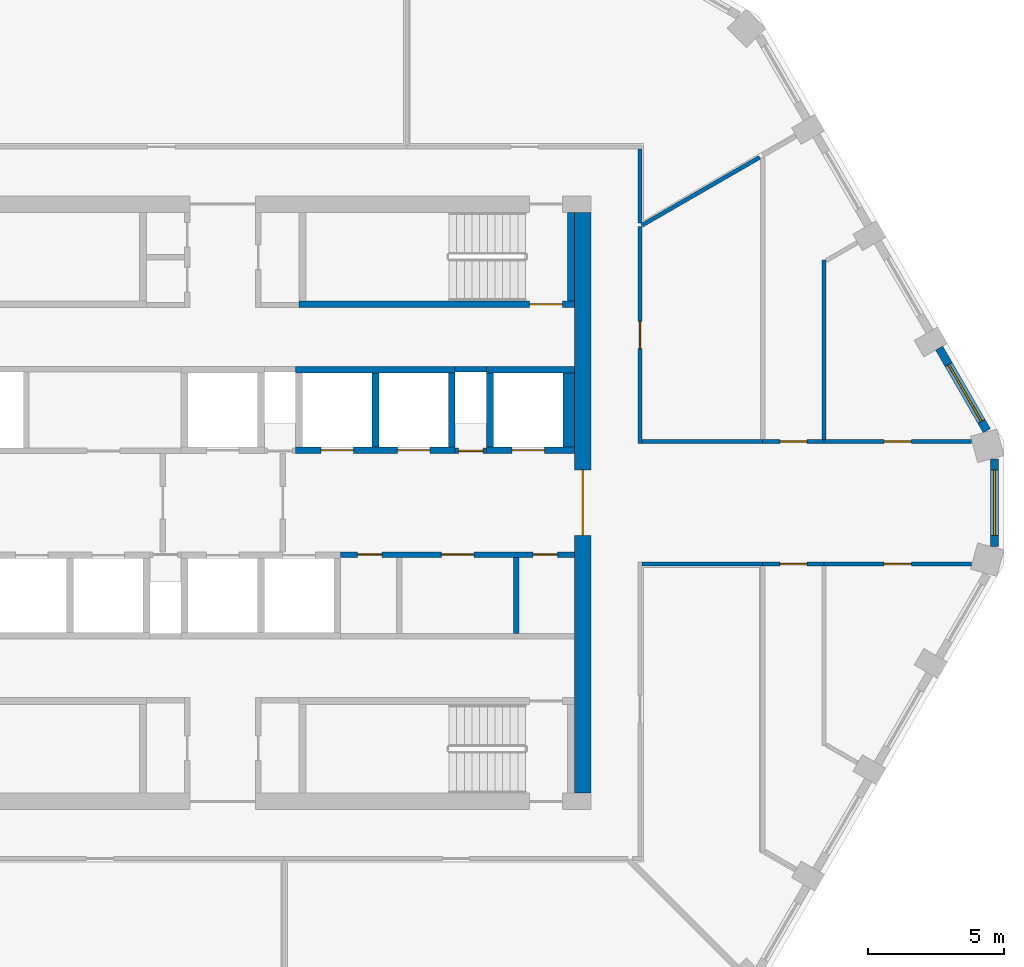
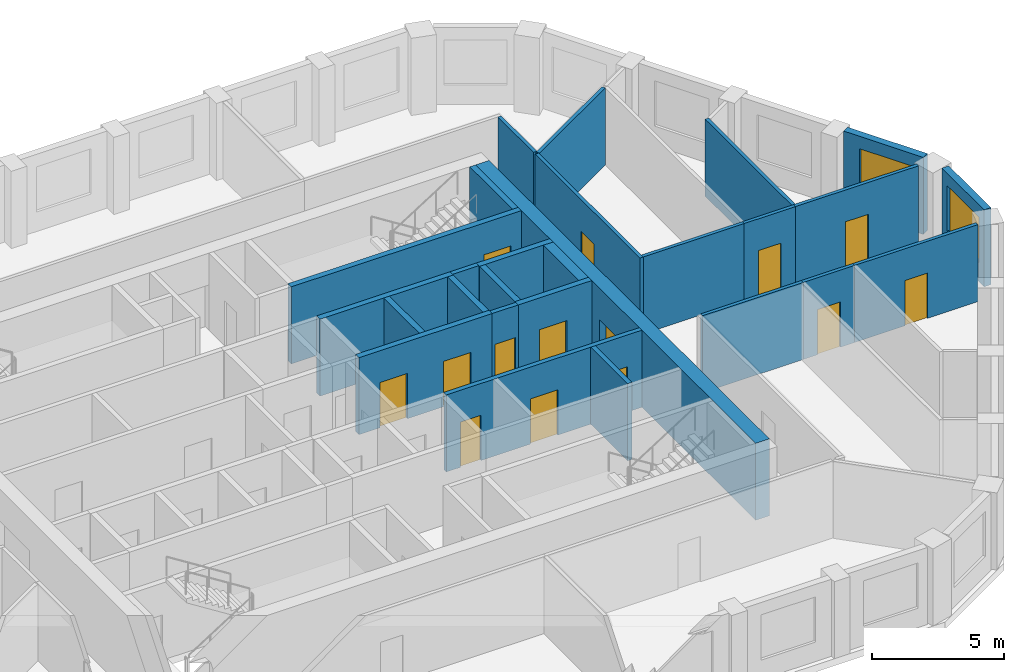
# One storey, part 5 of 11: 27 walls, 14 doors, 2 windows, 16 openings.
"""IFC4 building model written with IfcOpenShell, lengths in metres."""

from ifc_helpers import new_model, si_unit, direction, frame, frame_2d, origin, place, context, subcontext, project, spatial, polyline, rectangle, outline, extrude, material, layer, layer_set, type_object, element, fill, save


model = new_model("IFC4")

# Units and contexts
model_context = context("Model", 3, precision=1e-05, world=origin(), true_north=direction((0.0, 1.0)))
body_context = subcontext(model_context, "Body", "Model", "MODEL_VIEW")
ifc_project = project(units=[si_unit("LENGTHUNIT", "METRE"), si_unit("AREAUNIT", "SQUARE_METRE"), si_unit("VOLUMEUNIT", "CUBIC_METRE"), si_unit("PLANEANGLEUNIT", "RADIAN"), si_unit("MASSUNIT", "GRAM", prefix="KILO")], contexts=[model_context])

# Site, building, storey
site_placement = place(None, origin())
site = spatial("IfcSite", under=ifc_project, at=site_placement, CompositionType="ELEMENT")
building_placement = place(site_placement, origin())
building = spatial("IfcBuilding", under=site, at=building_placement, Name="Dhurran Vertical Campus", CompositionType="ELEMENT")
storey_placement = place(building_placement, frame((0.0, 0.0, 274.199951171875)))
storey = spatial("IfcBuildingStorey", under=building, at=storey_placement, Name="L68", CompositionType="ELEMENT", Elevation=274.199951171875)

# Wall, opening, window
ifc_material_1 = material(Name="Precast concrete C50/60", Category="concrete")
ifc_layer_1 = layer(ifc_material_1, 0.300048828125)
ifc_layer_set_1 = layer_set([ifc_layer_1], Name="Precast concrete C50/60")
wall_type_1 = type_object("IfcWallType", Name="Precast spandrel wall 300", PredefinedType="SOLIDWALL", material=ifc_layer_set_1)
wall_1_placement = place(storey_placement, frame((28.297119140625, -1.59814453125, 0.0), z_axis=(0.0, 0.0, 1.0), x_axis=(0.0, 1.0, 0.0)))
wall_1 = element("IfcWall", 1, at=wall_1_placement, inside=storey, type_object=wall_type_1, Name="EW1 L68.12", PredefinedType="SOLIDWALL", context=body_context, shape_type="SweptSolid", body=[
    extrude(rectangle(XDim=3.1962890625, YDim=0.300048828125, at=frame_2d((1.59814453125, 0.0))), origin(), (0.0, 0.0, 1.0), 3.574951171875),
])
opening_1_placement = place(wall_1_placement, frame((0.398193359375, 0.0, 0.89990234375)))
opening_1 = element("IfcOpeningElement", 2, at=opening_1_placement, cuts=wall_1, Name="Opening WT1", PredefinedType="OPENING", context=body_context, shape_type="SweptSolid", body=[
    extrude(rectangle(XDim=2.39990234375, YDim=2.10009765625, at=frame_2d((1.199951171875, 1.050048828125))), frame((0.0, 0.159912109375, 0.0), z_axis=(0.0, -1.0, 0.0), x_axis=(1.0, 0.0, 0.0)), (0.0, 0.0, 1.0), 0.320068359375),
])
ifc_material_2 = material(Name="Aluminium frame with solar-control glass", Category="aluminium")
window_type = type_object("IfcWindowType", Name="Punched window 2400 x 2100", PartitioningType="SINGLE_PANEL", PredefinedType="WINDOW", material=ifc_material_2)
window_1_placement = place(opening_1_placement, origin())
window_1 = element("IfcWindow", 3, at=window_1_placement, inside=storey, type_object=window_type, Name="WT1 L68.12", OverallHeight=2.10009765625, OverallWidth=2.39990234375, PartitioningType="SINGLE_PANEL", PredefinedType="WINDOW", context=body_context, shape_type="SweptSolid", body=[
    extrude(rectangle(XDim=2.39990234375, YDim=2.10009765625, at=frame_2d((1.199951171875, 1.050048828125))), frame((0.0, 0.030029296875, 0.0), z_axis=(0.0, -1.0, 0.0), x_axis=(1.0, 0.0, 0.0)), (0.0, 0.0, 1.0), 0.06005859375),
])
fill(opening_1, window_1)

wall_2_placement = place(storey_placement, frame((28.01806640625, 2.6396484375, 0.0), z_axis=(0.0, 0.0, 1.0), x_axis=(-0.499990325971, 0.866030989016, 0.0)))
wall_2 = element("IfcWall", 4, at=wall_2_placement, inside=storey, type_object=wall_type_1, Name="EW1 L68.13", PredefinedType="SOLIDWALL", context=body_context, shape_type="SweptSolid", body=[
    extrude(rectangle(XDim=3.49755859375, YDim=0.300048828125, at=frame_2d((1.748779296875, 0.0))), origin(), (0.0, 0.0, 1.0), 3.574951171875),
])
opening_2_placement = place(wall_2_placement, frame((0.398193359375, 0.0, 0.89990234375)))
opening_2 = element("IfcOpeningElement", 5, at=opening_2_placement, cuts=wall_2, Name="Opening WT1", PredefinedType="OPENING", context=body_context, shape_type="SweptSolid", body=[
    extrude(rectangle(XDim=2.39990234375, YDim=2.10009765625, at=frame_2d((1.199951171875, 1.050048828125))), frame((0.0, 0.159912109375, 0.0), z_axis=(0.0, -1.0, 0.0), x_axis=(1.0, 0.0, 0.0)), (0.0, 0.0, 1.0), 0.320068359375),
])
window_2_placement = place(opening_2_placement, origin())
window_2 = element("IfcWindow", 6, at=window_2_placement, inside=storey, type_object=window_type, Name="WT1 L68.13", OverallHeight=2.10009765625, OverallWidth=2.39990234375, PartitioningType="SINGLE_PANEL", PredefinedType="WINDOW", context=body_context, shape_type="SweptSolid", body=[
    extrude(rectangle(XDim=2.39990234375, YDim=2.10009765625, at=frame_2d((1.199951171875, 1.050048828125))), frame((0.0, 0.030029296875, 0.0), z_axis=(0.0, -1.0, 0.0), x_axis=(1.0, 0.0, 0.0)), (0.0, 0.0, 1.0), 0.06005859375),
])
fill(opening_2, window_2)

# Wall, opening, door
ifc_material_3 = material(Name="Concrete C50/60", Category="concrete")
ifc_layer_2 = layer(ifc_material_3, 0.60009765625)
ifc_layer_set_2 = layer_set([ifc_layer_2], Name="Concrete C50/60")
wall_type_2 = type_object("IfcWallType", Name="co-CORE-WALL-C2-600", PredefinedType="SHEAR", material=ifc_layer_set_2)
wall_3_placement = place(storey_placement, frame((13.199951171875, -10.64990234375, 0.0), z_axis=(0.0, 0.0, 1.0), x_axis=(0.0, 1.0, 0.0)))
wall_3 = element("IfcWall", 7, at=wall_3_placement, inside=storey, type_object=wall_type_2, Name="Core wall E L68", PredefinedType="SHEAR", context=body_context, shape_type="SweptSolid", body=[
    extrude(rectangle(XDim=21.2998046875, YDim=0.60009765625, at=frame_2d((10.64990234375, 0.0))), origin(), (0.0, 0.0, 1.0), 3.574951171875),
])
opening_3_placement = place(wall_3_placement, frame((9.449951171875, 0.0, 0.0)))
opening_3 = element("IfcOpeningElement", 8, at=opening_3_placement, cuts=wall_3, Name="Opening CL2", PredefinedType="OPENING", context=body_context, shape_type="SweptSolid", body=[
    extrude(rectangle(XDim=2.39990234375, YDim=2.10009765625, at=frame_2d((1.199951171875, 1.050048828125))), frame((0.0, 0.31005859375, 0.0), z_axis=(0.0, -1.0, 0.0), x_axis=(1.0, 0.0, 0.0)), (0.0, 0.0, 1.0), 0.6201171875),
])
ifc_material_4 = material(Name="Fire-rated glazed door set")
door_type_1 = type_object("IfcDoorType", Name="co-D-LOBBY 2400x2100", OperationType="DOUBLE_DOOR_DOUBLE_SWING", PredefinedType="DOOR", material=ifc_material_4)
door_1_placement = place(opening_3_placement, origin())
door_1 = element("IfcDoor", 9, at=door_1_placement, inside=storey, type_object=door_type_1, Name="Lift lobby door E L68", OperationType="DOUBLE_DOOR_DOUBLE_SWING", OverallHeight=2.10009765625, OverallWidth=2.39990234375, PredefinedType="DOOR", context=body_context, shape_type="SweptSolid", body=[
    extrude(rectangle(XDim=2.39990234375, YDim=2.10009765625, at=frame_2d((1.199951171875, 1.050048828125))), frame((0.0, 0.02490234375, 0.0), z_axis=(0.0, -1.0, 0.0), x_axis=(1.0, 0.0, 0.0)), (0.0, 0.0, 1.0), 0.050048828125),
])
fill(opening_3, door_1)

ifc_material_5 = material(Name="Fire-rated masonry blockwork", Category="masonry")
ifc_layer_3 = layer(ifc_material_5, 0.199951171875)
ifc_layer_set_3 = layer_set([ifc_layer_3], Name="Fire-rated masonry blockwork")
wall_type_3 = type_object("IfcWallType", Name="co-FIRE-PARTITION-200", PredefinedType="PARTITIONING", material=ifc_layer_set_3)
wall_4_placement = place(storey_placement, frame((8.52490234375, 1.89990234375, 0.0), z_axis=(0.0, 0.0, 1.0), x_axis=(1.0, 0.0, 0.0)))
wall_4 = element("IfcWall", 10, at=wall_4_placement, inside=storey, type_object=wall_type_3, Name="Core partition fr-N2-f L68", PredefinedType="PARTITIONING", context=body_context, shape_type="SweptSolid", body=[
    extrude(rectangle(XDim=1.150146484375, YDim=0.199951171875, at=frame_2d((0.5751953125, 0.0))), origin(), (0.0, 0.0, 1.0), 3.574951171875),
])
opening_4_placement = place(wall_4_placement, frame((0.125, 0.0, 0.0)))
opening_4 = element("IfcOpeningElement", 11, at=opening_4_placement, cuts=wall_4, Name="Opening T20-C9", PredefinedType="OPENING", context=body_context, shape_type="SweptSolid", body=[
    extrude(rectangle(XDim=0.89990234375, YDim=2.10009765625, at=frame_2d((0.449951171875, 1.050048828125))), frame((0.0, 0.10986328125, 0.0), z_axis=(0.0, -1.0, 0.0), x_axis=(1.0, 0.0, 0.0)), (0.0, 0.0, 1.0), 0.219970703125),
])
ifc_material_6 = material(Name="Fire-rated timber door set", Category="wood")
door_type_2 = type_object("IfcDoorType", Name="co-D-ROOM 900x2100", OperationType="SINGLE_SWING_LEFT", PredefinedType="DOOR", material=ifc_material_6)
door_2_placement = place(opening_4_placement, origin())
door_2 = element("IfcDoor", 12, at=door_2_placement, inside=storey, type_object=door_type_2, Name="Communications riser door L68", OperationType="SINGLE_SWING_LEFT", OverallHeight=2.10009765625, OverallWidth=0.89990234375, PredefinedType="DOOR", context=body_context, shape_type="SweptSolid", body=[
    extrude(rectangle(XDim=0.89990234375, YDim=2.10009765625, at=frame_2d((0.449951171875, 1.050048828125))), frame((0.0, 0.02490234375, 0.0), z_axis=(0.0, -1.0, 0.0), x_axis=(1.0, 0.0, 0.0)), (0.0, 0.0, 1.0), 0.050048828125),
])
fill(opening_4, door_2)

# Walls
wall_5_placement = place(storey_placement, frame((8.52490234375, 4.89990234375, 0.0), z_axis=(0.0, 0.0, 1.0), x_axis=(1.0, 0.0, 0.0)))
element("IfcWall", 13, at=wall_5_placement, inside=storey, type_object=wall_type_3, Name="Core partition fr-N2-b L68", PredefinedType="PARTITIONING", context=body_context, shape_type="SweptSolid", body=[
    extrude(rectangle(XDim=1.150146484375, YDim=0.199951171875, at=frame_2d((0.5751953125, 0.0))), origin(), (0.0, 0.0, 1.0), 3.574951171875),
])
wall_6_placement = place(storey_placement, frame((10.756103515625, -4.800048828125, 0.0), z_axis=(0.0, 0.0, 1.0), x_axis=(0.0, 1.0, 0.0)))
element("IfcWall", 14, at=wall_6_placement, inside=storey, type_object=wall_type_3, Name="Core partition fr-S2-cut1 L68", PredefinedType="PARTITIONING", context=body_context, shape_type="SweptSolid", body=[
    extrude(rectangle(XDim=2.800048828125, YDim=0.199951171875, at=frame_2d((1.39990234375, 0.0))), origin(), (0.0, 0.0, 1.0), 3.574951171875),
])

# Wall, openings, doors
wall_7_placement = place(storey_placement, frame((4.324951171875, -1.89990234375, 0.0), z_axis=(0.0, 0.0, 1.0), x_axis=(1.0, 0.0, 0.0)))
wall_7 = element("IfcWall", 15, at=wall_7_placement, inside=storey, type_object=wall_type_3, Name="Core partition fr-S2-f L68", PredefinedType="PARTITIONING", context=body_context, shape_type="SweptSolid", body=[
    extrude(rectangle(XDim=8.574951171875, YDim=0.199951171875, at=frame_2d((4.28759765625, 0.0))), origin(), (0.0, 0.0, 1.0), 3.574951171875),
])
opening_5_placement = place(wall_7_placement, frame((0.621826171875, 0.0, 0.0)))
opening_5 = element("IfcOpeningElement", 16, at=opening_5_placement, cuts=wall_7, Name="Opening T20-C12", PredefinedType="OPENING", context=body_context, shape_type="SweptSolid", body=[
    extrude(rectangle(XDim=0.89990234375, YDim=2.10009765625, at=frame_2d((0.449951171875, 1.050048828125))), frame((0.0, 0.10986328125, 0.0), z_axis=(0.0, -1.0, 0.0), x_axis=(1.0, 0.0, 0.0)), (0.0, 0.0, 1.0), 0.219970703125),
])
opening_6_placement = place(wall_7_placement, frame((3.6875, 0.0, 0.0)))
opening_6 = element("IfcOpeningElement", 17, at=opening_6_placement, cuts=wall_7, Name="Opening T20-C13", PredefinedType="OPENING", context=body_context, shape_type="SweptSolid", body=[
    extrude(rectangle(XDim=1.199951171875, YDim=2.10009765625, at=frame_2d((0.60009765625, 1.050048828125))), frame((0.0, 0.10986328125, 0.0), z_axis=(0.0, -1.0, 0.0), x_axis=(1.0, 0.0, 0.0)), (0.0, 0.0, 1.0), 0.219970703125),
])
opening_7_placement = place(wall_7_placement, frame((7.052978515625, 0.0, 0.0)))
opening_7 = element("IfcOpeningElement", 18, at=opening_7_placement, cuts=wall_7, Name="Opening T20-C14", PredefinedType="OPENING", context=body_context, shape_type="SweptSolid", body=[
    extrude(rectangle(XDim=0.89990234375, YDim=2.10009765625, at=frame_2d((0.449951171875, 1.050048828125))), frame((0.0, 0.10986328125, 0.0), z_axis=(0.0, -1.0, 0.0), x_axis=(1.0, 0.0, 0.0)), (0.0, 0.0, 1.0), 0.219970703125),
])
door_3_placement = place(opening_5_placement, origin())
door_3 = element("IfcDoor", 19, at=door_3_placement, inside=storey, type_object=door_type_2, Name="Store door L68", OperationType="SINGLE_SWING_LEFT", OverallHeight=2.10009765625, OverallWidth=0.89990234375, PredefinedType="DOOR", context=body_context, shape_type="SweptSolid", body=[
    extrude(rectangle(XDim=0.89990234375, YDim=2.10009765625, at=frame_2d((0.449951171875, 1.050048828125))), frame((0.0, 0.02490234375, 0.0), z_axis=(0.0, -1.0, 0.0), x_axis=(1.0, 0.0, 0.0)), (0.0, 0.0, 1.0), 0.050048828125),
])
fill(opening_5, door_3)
door_4_placement = place(opening_7_placement, origin())
door_4 = element("IfcDoor", 20, at=door_4_placement, inside=storey, type_object=door_type_2, Name="Plant room door L68", OperationType="SINGLE_SWING_LEFT", OverallHeight=2.10009765625, OverallWidth=0.89990234375, PredefinedType="DOOR", context=body_context, shape_type="SweptSolid", body=[
    extrude(rectangle(XDim=0.89990234375, YDim=2.10009765625, at=frame_2d((0.449951171875, 1.050048828125))), frame((0.0, 0.02490234375, 0.0), z_axis=(0.0, -1.0, 0.0), x_axis=(1.0, 0.0, 0.0)), (0.0, 0.0, 1.0), 0.050048828125),
])
fill(opening_7, door_4)
ifc_material_7 = material(Name="Fire-rated steel door set", Category="steel")
door_type_3 = type_object("IfcDoorType", Name="co-D-ROOM-PASSAGE 1200x2100", OperationType="SINGLE_SWING_RIGHT", PredefinedType="DOOR", material=ifc_material_7)
door_5_placement = place(opening_6_placement, origin())
door_5 = element("IfcDoor", 21, at=door_5_placement, inside=storey, type_object=door_type_3, Name="Communications room door L68", OperationType="SINGLE_SWING_RIGHT", OverallHeight=2.10009765625, OverallWidth=1.199951171875, PredefinedType="DOOR", context=body_context, shape_type="SweptSolid", body=[
    extrude(rectangle(XDim=1.199951171875, YDim=2.10009765625, at=frame_2d((0.60009765625, 1.050048828125))), frame((0.0, 0.02490234375, 0.0), z_axis=(0.0, -1.0, 0.0), x_axis=(1.0, 0.0, 0.0)), (0.0, 0.0, 1.0), 0.050048828125),
])
fill(opening_6, door_5)

ifc_material_8 = material(Name="Concrete C50/60", Category="concrete")
ifc_layer_4 = layer(ifc_material_8, 0.25)
ifc_layer_set_4 = layer_set([ifc_layer_4], Name="Concrete C50/60")
wall_type_4 = type_object("IfcWallType", Name="co-SHAFT-FRONT-250", PredefinedType="SHEAR", material=ifc_layer_set_4)
wall_8_placement = place(storey_placement, frame((2.675048828125, 1.925048828125, 0.0), z_axis=(0.0, 0.0, 1.0), x_axis=(1.0, 0.0, 0.0)))
wall_8 = element("IfcWall", 22, at=wall_8_placement, inside=storey, type_object=wall_type_4, Name="Lift landing wall N L68", PredefinedType="SHEAR", context=body_context, shape_type="SweptSolid", body=[
    extrude(rectangle(XDim=5.849853515625, YDim=0.25, at=frame_2d((2.9248046875, 0.0))), origin(), (0.0, 0.0, 1.0), 3.574951171875),
])
opening_8_placement = place(wall_8_placement, frame((0.925048828125, 0.0, 0.0)))
opening_8 = element("IfcOpeningElement", 23, at=opening_8_placement, cuts=wall_8, Name="Opening LD", PredefinedType="OPENING", context=body_context, shape_type="SweptSolid", body=[
    extrude(rectangle(XDim=1.199951171875, YDim=2.10009765625, at=frame_2d((0.60009765625, 1.050048828125))), frame((0.0, 0.135009765625, 0.0), z_axis=(0.0, -1.0, 0.0), x_axis=(1.0, 0.0, 0.0)), (0.0, 0.0, 1.0), 0.27001953125),
])
opening_9_placement = place(wall_8_placement, frame((3.72509765625, 0.0, 0.0)))
opening_9 = element("IfcOpeningElement", 24, at=opening_9_placement, cuts=wall_8, Name="Opening LD", PredefinedType="OPENING", context=body_context, shape_type="SweptSolid", body=[
    extrude(rectangle(XDim=1.199951171875, YDim=2.10009765625, at=frame_2d((0.60009765625, 1.050048828125))), frame((0.0, 0.135009765625, 0.0), z_axis=(0.0, -1.0, 0.0), x_axis=(1.0, 0.0, 0.0)), (0.0, 0.0, 1.0), 0.27001953125),
])
ifc_material_9 = material(Name="Stainless steel landing door", Category="steel")
door_type_4 = type_object("IfcDoorType", Name="co-D-LANDING 1200x2100", OperationType="DOUBLE_DOOR_SLIDING", PredefinedType="DOOR", material=ifc_material_9)
door_6_placement = place(opening_8_placement, origin())
door_6 = element("IfcDoor", 25, at=door_6_placement, inside=storey, type_object=door_type_4, Name="Landing door HR1 L68", OperationType="DOUBLE_DOOR_SLIDING", OverallHeight=2.10009765625, OverallWidth=1.199951171875, PredefinedType="DOOR", context=body_context, shape_type="SweptSolid", body=[
    extrude(rectangle(XDim=1.199951171875, YDim=2.10009765625, at=frame_2d((0.60009765625, 1.050048828125))), frame((0.0, 0.02490234375, 0.0), z_axis=(0.0, -1.0, 0.0), x_axis=(1.0, 0.0, 0.0)), (0.0, 0.0, 1.0), 0.050048828125),
])
fill(opening_8, door_6)
door_7_placement = place(opening_9_placement, origin())
door_7 = element("IfcDoor", 26, at=door_7_placement, inside=storey, type_object=door_type_4, Name="Landing door HR2 L68", OperationType="DOUBLE_DOOR_SLIDING", OverallHeight=2.10009765625, OverallWidth=1.199951171875, PredefinedType="DOOR", context=body_context, shape_type="SweptSolid", body=[
    extrude(rectangle(XDim=1.199951171875, YDim=2.10009765625, at=frame_2d((0.60009765625, 1.050048828125))), frame((0.0, 0.02490234375, 0.0), z_axis=(0.0, -1.0, 0.0), x_axis=(1.0, 0.0, 0.0)), (0.0, 0.0, 1.0), 0.050048828125),
])
fill(opening_9, door_7)

# Wall, opening, door
wall_9_placement = place(storey_placement, frame((9.675048828125, 1.925048828125, 0.0), z_axis=(0.0, 0.0, 1.0), x_axis=(1.0, 0.0, 0.0)))
wall_9 = element("IfcWall", 27, at=wall_9_placement, inside=storey, type_object=wall_type_4, Name="Lift landing wall N L68", PredefinedType="SHEAR", context=body_context, shape_type="SweptSolid", body=[
    extrude(rectangle(XDim=3.224853515625, YDim=0.25, at=frame_2d((1.6123046875, 0.0))), origin(), (0.0, 0.0, 1.0), 3.574951171875),
])
opening_10_placement = place(wall_9_placement, frame((0.925048828125, 0.0, 0.0)))
opening_10 = element("IfcOpeningElement", 28, at=opening_10_placement, cuts=wall_9, Name="Opening LD", PredefinedType="OPENING", context=body_context, shape_type="SweptSolid", body=[
    extrude(rectangle(XDim=1.199951171875, YDim=2.10009765625, at=frame_2d((0.60009765625, 1.050048828125))), frame((0.0, 0.135009765625, 0.0), z_axis=(0.0, -1.0, 0.0), x_axis=(1.0, 0.0, 0.0)), (0.0, 0.0, 1.0), 0.27001953125),
])
door_8_placement = place(opening_10_placement, origin())
door_8 = element("IfcDoor", 29, at=door_8_placement, inside=storey, type_object=door_type_4, Name="Landing door SV2 L68", OperationType="DOUBLE_DOOR_SLIDING", OverallHeight=2.10009765625, OverallWidth=1.199951171875, PredefinedType="DOOR", context=body_context, shape_type="SweptSolid", body=[
    extrude(rectangle(XDim=1.199951171875, YDim=2.10009765625, at=frame_2d((0.60009765625, 1.050048828125))), frame((0.0, 0.02490234375, 0.0), z_axis=(0.0, -1.0, 0.0), x_axis=(1.0, 0.0, 0.0)), (0.0, 0.0, 1.0), 0.050048828125),
])
fill(opening_10, door_8)

# Walls
ifc_material_10 = material(Name="Concrete C50/60", Category="concrete")
ifc_layer_5 = layer(ifc_material_10, 0.25)
ifc_layer_set_5 = layer_set([ifc_layer_5], Name="Concrete C50/60")
wall_type_5 = type_object("IfcWallType", Name="co-SHAFT-MASS-250", PredefinedType="SHEAR", material=ifc_layer_set_5)
wall_10_placement = place(storey_placement, origin())
element("IfcWall", 30, at=wall_10_placement, inside=storey, type_object=wall_type_5, Name="Lift shaft wall N L68 2", PredefinedType="SHEAR", context=body_context, shape_type="SweptSolid", body=[
    extrude(outline(polyline([(2.675048828125, 4.75), (8.52490234375, 4.75), (8.52490234375, 5.0), (2.675048828125, 5.0), (2.675048828125, 4.75)])), origin(), (0.0, 0.0, 1.0), 3.574951171875),
])
wall_11_placement = place(storey_placement, origin())
element("IfcWall", 31, at=wall_11_placement, inside=storey, type_object=wall_type_5, Name="Lift shaft wall N L68 3", PredefinedType="SHEAR", context=body_context, shape_type="SweptSolid", body=[
    extrude(outline(polyline([(9.675048828125, 4.75), (12.89990234375, 4.75), (12.89990234375, 5.0), (9.675048828125, 5.0), (9.675048828125, 4.75)])), origin(), (0.0, 0.0, 1.0), 3.574951171875),
])
wall_12_placement = place(storey_placement, origin())
element("IfcWall", 32, at=wall_12_placement, inside=storey, type_object=wall_type_5, Name="Lift shaft wall N L68 7", PredefinedType="SHEAR", context=body_context, shape_type="SweptSolid", body=[
    extrude(outline(polyline([(5.47509765625, 2.050048828125), (5.72509765625, 2.050048828125), (5.72509765625, 4.75), (5.47509765625, 4.75), (5.47509765625, 2.050048828125)])), origin(), (0.0, 0.0, 1.0), 3.574951171875),
])
wall_13_placement = place(storey_placement, origin())
element("IfcWall", 33, at=wall_13_placement, inside=storey, type_object=wall_type_5, Name="Lift shaft wall N L68 8", PredefinedType="SHEAR", context=body_context, shape_type="SweptSolid", body=[
    extrude(outline(polyline([(8.27490234375, 2.050048828125), (8.52490234375, 2.050048828125), (8.52490234375, 4.75), (8.27490234375, 4.75), (8.27490234375, 2.050048828125)])), origin(), (0.0, 0.0, 1.0), 3.574951171875),
])
wall_14_placement = place(storey_placement, origin())
element("IfcWall", 34, at=wall_14_placement, inside=storey, type_object=wall_type_5, Name="Lift shaft wall N L68 9", PredefinedType="SHEAR", context=body_context, shape_type="SweptSolid", body=[
    extrude(outline(polyline([(9.675048828125, 2.050048828125), (9.925048828125, 2.050048828125), (9.925048828125, 4.75), (9.675048828125, 4.75), (9.675048828125, 2.050048828125)])), origin(), (0.0, 0.0, 1.0), 3.574951171875),
])
wall_15_placement = place(storey_placement, origin())
element("IfcWall", 35, at=wall_15_placement, inside=storey, type_object=wall_type_5, Name="Lift shaft wall N L68 10", PredefinedType="SHEAR", context=body_context, shape_type="SweptSolid", body=[
    extrude(outline(polyline([(12.47509765625, 2.050048828125), (12.89990234375, 2.050048828125), (12.89990234375, 4.75), (12.47509765625, 4.75), (12.47509765625, 2.050048828125)])), origin(), (0.0, 0.0, 1.0), 3.574951171875),
])

# Wall, opening, door
ifc_material_11 = material(Name="Concrete C40/50", Category="concrete")
ifc_layer_6 = layer(ifc_material_11, 0.25)
ifc_layer_set_6 = layer_set([ifc_layer_6], Name="Concrete C40/50")
wall_type_6 = type_object("IfcWallType", Name="co-STAIR-WALL-250", PredefinedType="SHEAR", material=ifc_layer_set_6)
wall_16_placement = place(storey_placement, frame((2.800048828125, 7.27490234375, 0.0), z_axis=(0.0, 0.0, 1.0), x_axis=(1.0, 0.0, 0.0)))
wall_16 = element("IfcWall", 36, at=wall_16_placement, inside=storey, type_object=wall_type_6, Name="Stair ST2 enclosure wall L68", PredefinedType="SHEAR", context=body_context, shape_type="SweptSolid", body=[
    extrude(rectangle(XDim=10.099853515625, YDim=0.25, at=frame_2d((5.0498046875, 0.0))), origin(), (0.0, 0.0, 1.0), 3.574951171875),
])
opening_11_placement = place(wall_16_placement, frame((8.449951171875, 0.0, 0.0)))
opening_11 = element("IfcOpeningElement", 37, at=opening_11_placement, cuts=wall_16, Name="Opening SD2", PredefinedType="OPENING", context=body_context, shape_type="SweptSolid", body=[
    extrude(rectangle(XDim=1.199951171875, YDim=2.10009765625, at=frame_2d((0.60009765625, 1.050048828125))), frame((0.0, 0.135009765625, 0.0), z_axis=(0.0, -1.0, 0.0), x_axis=(1.0, 0.0, 0.0)), (0.0, 0.0, 1.0), 0.27001953125),
])
ifc_material_12 = material(Name="Fire-rated steel door set", Category="steel")
door_type_5 = type_object("IfcDoorType", Name="co-D-STAIR 1200x2100", OperationType="SINGLE_SWING_LEFT", PredefinedType="DOOR", material=ifc_material_12)
door_9_placement = place(opening_11_placement, origin())
door_9 = element("IfcDoor", 38, at=door_9_placement, inside=storey, type_object=door_type_5, Name="Stair ST2 door L68", OperationType="SINGLE_SWING_LEFT", OverallHeight=2.10009765625, OverallWidth=1.199951171875, PredefinedType="DOOR", context=body_context, shape_type="SweptSolid", body=[
    extrude(rectangle(XDim=1.199951171875, YDim=2.10009765625, at=frame_2d((0.60009765625, 1.050048828125))), frame((0.0, 0.02490234375, 0.0), z_axis=(0.0, -1.0, 0.0), x_axis=(1.0, 0.0, 0.0)), (0.0, 0.0, 1.0), 0.050048828125),
])
fill(opening_11, door_9)

# Walls
wall_17_placement = place(storey_placement, frame((12.77490234375, 7.39990234375, 0.0), z_axis=(0.0, 0.0, 1.0), x_axis=(0.0, 1.0, 0.0)))
element("IfcWall", 39, at=wall_17_placement, inside=storey, type_object=wall_type_6, Name="Stair ST2 enclosure wall L68", PredefinedType="SHEAR", context=body_context, shape_type="SweptSolid", body=[
    extrude(rectangle(XDim=3.25, YDim=0.25, at=frame_2d((1.625, 0.0))), origin(), (0.0, 0.0, 1.0), 3.574951171875),
])
ifc_material_13 = material(Name="Gypsum board corridor wall on steel studs", Category="steel")
ifc_layer_7 = layer(ifc_material_13, 0.14990234375)
ifc_layer_set_7 = layer_set([ifc_layer_7], Name="Gypsum board corridor wall on steel studs")
wall_type_7 = type_object("IfcWallType", Name="fl-CW-150 corridor wall", PredefinedType="PARTITIONING", material=ifc_layer_set_7)
wall_18_placement = place(storey_placement, frame((19.800048828125, -2.25, 0.0), z_axis=(0.0, 0.0, 1.0), x_axis=(-1.0, 0.0, 0.0)))
element("IfcWall", 40, at=wall_18_placement, inside=storey, type_object=wall_type_7, Name="Partition 68-28", PredefinedType="PARTITIONING", context=body_context, shape_type="SweptSolid", body=[
    extrude(rectangle(XDim=4.425048828125, YDim=0.14990234375, at=frame_2d((2.21240234375, 0.0))), origin(), (0.0, 0.0, 1.0), 3.574951171875),
])

# Wall, opening, door
wall_19_placement = place(storey_placement, frame((15.300048828125, 2.175048828125, 0.0), z_axis=(0.0, 0.0, 1.0), x_axis=(0.0, 1.0, 0.0)))
wall_19 = element("IfcWall", 41, at=wall_19_placement, inside=storey, type_object=wall_type_7, Name="Partition 68-29", PredefinedType="PARTITIONING", context=body_context, shape_type="SweptSolid", body=[
    extrude(rectangle(XDim=7.95703125, YDim=0.14990234375, at=frame_2d((3.978515625, 0.0))), origin(), (0.0, 0.0, 1.0), 3.574951171875),
])
opening_12_placement = place(wall_19_placement, frame((3.478515625, 0.0, 0.0)))
opening_12 = element("IfcOpeningElement", 42, at=opening_12_placement, cuts=wall_19, Name="Opening T20.11", PredefinedType="OPENING", context=body_context, shape_type="SweptSolid", body=[
    extrude(rectangle(XDim=1.0, YDim=2.10009765625, at=frame_2d((0.5, 1.050048828125))), frame((0.0, 0.0849609375, 0.0), z_axis=(0.0, -1.0, 0.0), x_axis=(1.0, 0.0, 0.0)), (0.0, 0.0, 1.0), 0.169921875),
])
ifc_material_14 = material(Name="Solid-core timber door set, fire-rated", Category="wood")
door_type_6 = type_object("IfcDoorType", Name="fl-D-1000x2100", OperationType="SINGLE_SWING_LEFT", PredefinedType="DOOR", material=ifc_material_14)
door_10_placement = place(opening_12_placement, origin())
door_10 = element("IfcDoor", 43, at=door_10_placement, inside=storey, type_object=door_type_6, Name="Door 68.11", OperationType="SINGLE_SWING_RIGHT", OverallHeight=2.10009765625, OverallWidth=1.0, PredefinedType="DOOR", context=body_context, shape_type="SweptSolid", body=[
    extrude(rectangle(XDim=1.0, YDim=2.10009765625, at=frame_2d((0.5, 1.050048828125))), frame((0.0, 0.02490234375, 0.0), z_axis=(0.0, -1.0, 0.0), x_axis=(1.0, 0.0, 0.0)), (0.0, 0.0, 1.0), 0.050048828125),
])
fill(opening_12, door_10)

# Walls
wall_20_placement = place(storey_placement, frame((15.375, 2.25, 0.0), z_axis=(0.0, 0.0, 1.0), x_axis=(1.0, 0.0, 0.0)))
element("IfcWall", 44, at=wall_20_placement, inside=storey, type_object=wall_type_7, Name="Partition 68-30", PredefinedType="PARTITIONING", context=body_context, shape_type="SweptSolid", body=[
    extrude(rectangle(XDim=4.425048828125, YDim=0.14990234375, at=frame_2d((2.21240234375, 0.0))), origin(), (0.0, 0.0, 1.0), 3.574951171875),
])
wall_21_placement = place(storey_placement, frame((15.300048828125, 10.261962890625, 0.0), z_axis=(0.0, 0.0, 1.0), x_axis=(0.0, 1.0, 0.0)))
element("IfcWall", 45, at=wall_21_placement, inside=storey, type_object=wall_type_7, Name="Partition 68-31", PredefinedType="PARTITIONING", context=body_context, shape_type="SweptSolid", body=[
    extrude(rectangle(XDim=2.713134765625, YDim=0.14990234375, at=frame_2d((1.3564453125, 0.0))), origin(), (0.0, 0.0, 1.0), 3.574951171875),
])

# Wall, opening, door
wall_22_placement = place(storey_placement, frame((22.050048828125, -2.25, 0.0), z_axis=(0.0, 0.0, 1.0), x_axis=(-1.0, 0.0, 0.0)))
wall_22 = element("IfcWall", 46, at=wall_22_placement, inside=storey, type_object=wall_type_7, Name="Partition 68-35", PredefinedType="PARTITIONING", context=body_context, shape_type="SweptSolid", body=[
    extrude(rectangle(XDim=2.25, YDim=0.14990234375, at=frame_2d((1.125, 0.0))), origin(), (0.0, 0.0, 1.0), 3.574951171875),
])
opening_13_placement = place(wall_22_placement, frame((0.625, 0.0, 0.0)))
opening_13 = element("IfcOpeningElement", 47, at=opening_13_placement, cuts=wall_22, Name="Opening T20.13", PredefinedType="OPENING", context=body_context, shape_type="SweptSolid", body=[
    extrude(rectangle(XDim=1.0, YDim=2.10009765625, at=frame_2d((0.5, 1.050048828125))), frame((0.0, 0.0849609375, 0.0), z_axis=(0.0, -1.0, 0.0), x_axis=(1.0, 0.0, 0.0)), (0.0, 0.0, 1.0), 0.169921875),
])
door_11_placement = place(opening_13_placement, origin())
door_11 = element("IfcDoor", 48, at=door_11_placement, inside=storey, type_object=door_type_6, Name="Door 68.13", OperationType="SINGLE_SWING_RIGHT", OverallHeight=2.10009765625, OverallWidth=1.0, PredefinedType="DOOR", context=body_context, shape_type="SweptSolid", body=[
    extrude(rectangle(XDim=1.0, YDim=2.10009765625, at=frame_2d((0.5, 1.050048828125))), frame((0.0, 0.02490234375, 0.0), z_axis=(0.0, -1.0, 0.0), x_axis=(1.0, 0.0, 0.0)), (0.0, 0.0, 1.0), 0.050048828125),
])
fill(opening_13, door_11)

wall_23_placement = place(storey_placement, frame((19.800048828125, 2.25, 0.0), z_axis=(0.0, 0.0, 1.0), x_axis=(1.0, 0.0, 0.0)))
wall_23 = element("IfcWall", 49, at=wall_23_placement, inside=storey, type_object=wall_type_7, Name="Partition 68-37", PredefinedType="PARTITIONING", context=body_context, shape_type="SweptSolid", body=[
    extrude(rectangle(XDim=2.25, YDim=0.14990234375, at=frame_2d((1.125, 0.0))), origin(), (0.0, 0.0, 1.0), 3.574951171875),
])
opening_14_placement = place(wall_23_placement, frame((0.625, 0.0, 0.0)))
opening_14 = element("IfcOpeningElement", 50, at=opening_14_placement, cuts=wall_23, Name="Opening T20.14", PredefinedType="OPENING", context=body_context, shape_type="SweptSolid", body=[
    extrude(rectangle(XDim=1.0, YDim=2.10009765625, at=frame_2d((0.5, 1.050048828125))), frame((0.0, 0.0849609375, 0.0), z_axis=(0.0, -1.0, 0.0), x_axis=(1.0, 0.0, 0.0)), (0.0, 0.0, 1.0), 0.169921875),
])
door_12_placement = place(opening_14_placement, origin())
door_12 = element("IfcDoor", 51, at=door_12_placement, inside=storey, type_object=door_type_6, Name="Door 68.14", OperationType="SINGLE_SWING_LEFT", OverallHeight=2.10009765625, OverallWidth=1.0, PredefinedType="DOOR", context=body_context, shape_type="SweptSolid", body=[
    extrude(rectangle(XDim=1.0, YDim=2.10009765625, at=frame_2d((0.5, 1.050048828125))), frame((0.0, 0.02490234375, 0.0), z_axis=(0.0, -1.0, 0.0), x_axis=(1.0, 0.0, 0.0)), (0.0, 0.0, 1.0), 0.050048828125),
])
fill(opening_14, door_12)

wall_24_placement = place(storey_placement, frame((27.452392578125, -2.25, 0.0), z_axis=(0.0, 0.0, 1.0), x_axis=(-1.0, 0.0, 0.0)))
wall_24 = element("IfcWall", 52, at=wall_24_placement, inside=storey, type_object=wall_type_7, Name="Partition 68-41", PredefinedType="PARTITIONING", context=body_context, shape_type="SweptSolid", body=[
    extrude(rectangle(XDim=5.40234375, YDim=0.14990234375, at=frame_2d((2.701171875, 0.0))), origin(), (0.0, 0.0, 1.0), 3.574951171875),
])
opening_15_placement = place(wall_24_placement, frame((2.201171875, 0.0, 0.0)))
opening_15 = element("IfcOpeningElement", 53, at=opening_15_placement, cuts=wall_24, Name="Opening T20.15", PredefinedType="OPENING", context=body_context, shape_type="SweptSolid", body=[
    extrude(rectangle(XDim=1.0, YDim=2.10009765625, at=frame_2d((0.5, 1.050048828125))), frame((0.0, 0.0849609375, 0.0), z_axis=(0.0, -1.0, 0.0), x_axis=(1.0, 0.0, 0.0)), (0.0, 0.0, 1.0), 0.169921875),
])
door_13_placement = place(opening_15_placement, origin())
door_13 = element("IfcDoor", 54, at=door_13_placement, inside=storey, type_object=door_type_6, Name="Door 68.15", OperationType="SINGLE_SWING_RIGHT", OverallHeight=2.10009765625, OverallWidth=1.0, PredefinedType="DOOR", context=body_context, shape_type="SweptSolid", body=[
    extrude(rectangle(XDim=1.0, YDim=2.10009765625, at=frame_2d((0.5, 1.050048828125))), frame((0.0, 0.02490234375, 0.0), z_axis=(0.0, -1.0, 0.0), x_axis=(1.0, 0.0, 0.0)), (0.0, 0.0, 1.0), 0.050048828125),
])
fill(opening_15, door_13)

wall_25_placement = place(storey_placement, frame((22.050048828125, 2.25, 0.0), z_axis=(0.0, 0.0, 1.0), x_axis=(1.0, 0.0, 0.0)))
wall_25 = element("IfcWall", 55, at=wall_25_placement, inside=storey, type_object=wall_type_7, Name="Partition 68-43", PredefinedType="PARTITIONING", context=body_context, shape_type="SweptSolid", body=[
    extrude(rectangle(XDim=5.40234375, YDim=0.14990234375, at=frame_2d((2.701171875, 0.0))), origin(), (0.0, 0.0, 1.0), 3.574951171875),
])
opening_16_placement = place(wall_25_placement, frame((2.201171875, 0.0, 0.0)))
opening_16 = element("IfcOpeningElement", 56, at=opening_16_placement, cuts=wall_25, Name="Opening T20.16", PredefinedType="OPENING", context=body_context, shape_type="SweptSolid", body=[
    extrude(rectangle(XDim=1.0, YDim=2.10009765625, at=frame_2d((0.5, 1.050048828125))), frame((0.0, 0.0849609375, 0.0), z_axis=(0.0, -1.0, 0.0), x_axis=(1.0, 0.0, 0.0)), (0.0, 0.0, 1.0), 0.169921875),
])
door_14_placement = place(opening_16_placement, origin())
door_14 = element("IfcDoor", 57, at=door_14_placement, inside=storey, type_object=door_type_6, Name="Door 68.16", OperationType="SINGLE_SWING_RIGHT", OverallHeight=2.10009765625, OverallWidth=1.0, PredefinedType="DOOR", context=body_context, shape_type="SweptSolid", body=[
    extrude(rectangle(XDim=1.0, YDim=2.10009765625, at=frame_2d((0.5, 1.050048828125))), frame((0.0, 0.02490234375, 0.0), z_axis=(0.0, -1.0, 0.0), x_axis=(1.0, 0.0, 0.0)), (0.0, 0.0, 1.0), 0.050048828125),
])
fill(opening_16, door_14)

# Walls
ifc_material_15 = material(Name="Gypsum board partition on steel studs", Category="steel")
ifc_layer_8 = layer(ifc_material_15, 0.14990234375)
ifc_layer_set_8 = layer_set([ifc_layer_8], Name="Gypsum board partition on steel studs")
wall_type_8 = type_object("IfcWallType", Name="fl-PW-150 fixed partition", PredefinedType="PARTITIONING", material=ifc_layer_set_8)
wall_26_placement = place(storey_placement, frame((19.6875, 12.6650390625, 0.0), z_axis=(0.0, 0.0, 1.0), x_axis=(-0.866025118187, -0.500000494669, 0.0)))
element("IfcWall", 58, at=wall_26_placement, inside=storey, type_object=wall_type_8, Name="Partition 68-32", PredefinedType="PARTITIONING", context=body_context, shape_type="SweptSolid", body=[
    extrude(rectangle(XDim=4.9912109375, YDim=0.14990234375, at=frame_2d((2.49560546875, 0.0))), origin(), (0.0, 0.0, 1.0), 3.574951171875),
])
wall_27_placement = place(storey_placement, frame((22.050048828125, 8.907958984375, 0.0), z_axis=(0.0, 0.0, 1.0), x_axis=(0.0, -1.0, 0.0)))
element("IfcWall", 59, at=wall_27_placement, inside=storey, type_object=wall_type_8, Name="Partition 68-42", PredefinedType="PARTITIONING", context=body_context, shape_type="SweptSolid", body=[
    extrude(rectangle(XDim=6.5830078125, YDim=0.14990234375, at=frame_2d((3.29150390625, 0.0))), origin(), (0.0, 0.0, 1.0), 3.574951171875),
])

save(model, "model.ifc")
